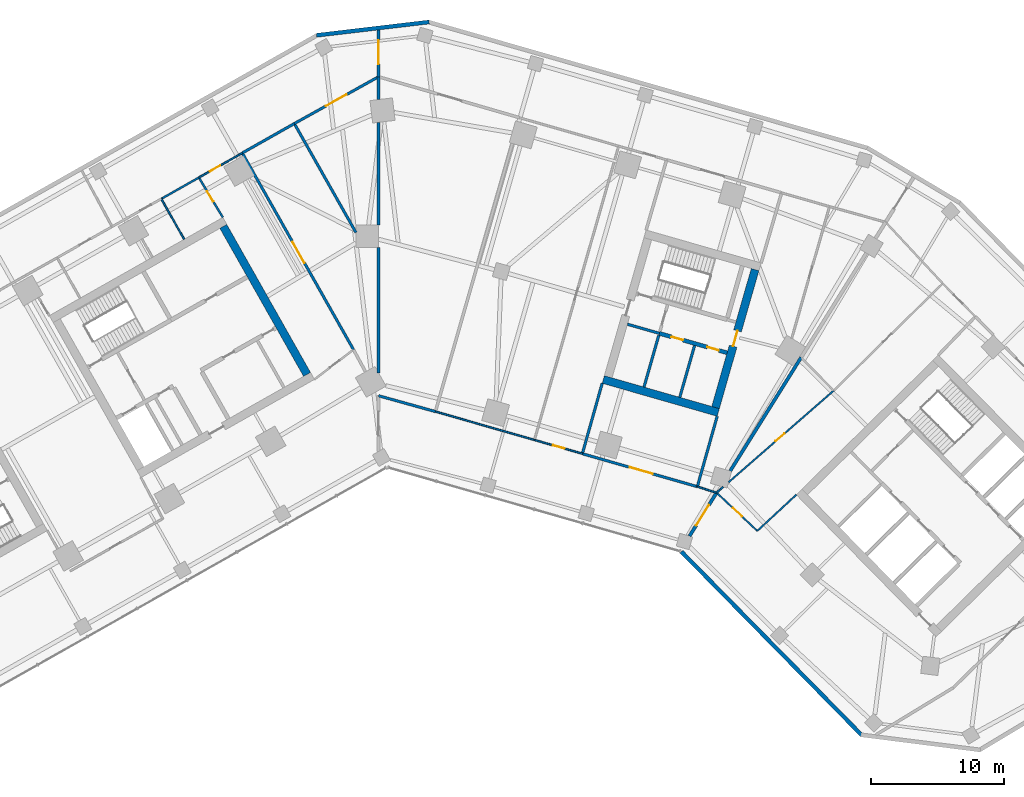
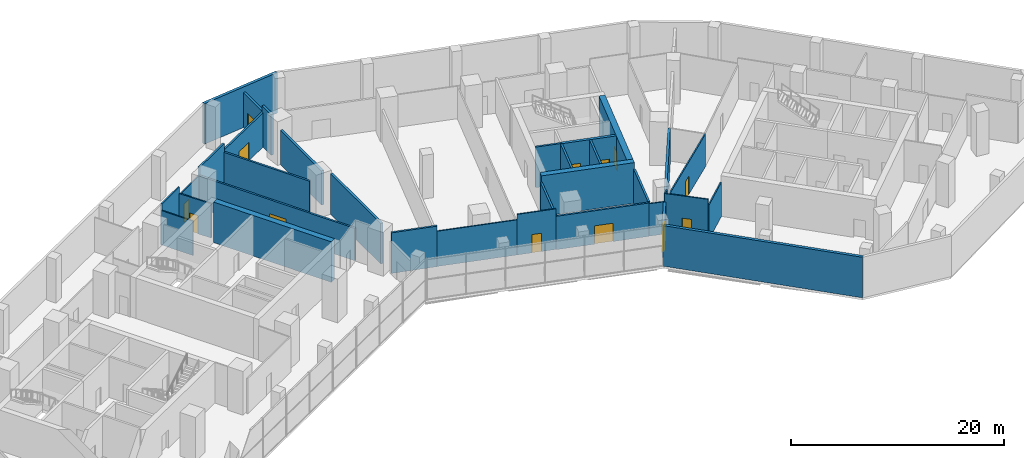
# One storey, part 10 of 15: 34 walls, 13 doors, 13 openings.
"""IFC4 building model written with IfcOpenShell, lengths in metres."""

from ifc_helpers import new_model, si_unit, direction, frame, frame_2d, origin, place, context, subcontext, project, spatial, rectangle, extrude, material, layer, layer_set, type_object, element, fill, save


model = new_model("IFC4")

# Units and contexts
model_context = context("Model", 3, precision=1e-05, world=origin(), true_north=direction((0.0, 1.0)))
body_context = subcontext(model_context, "Body", "Model", "MODEL_VIEW")
ifc_project = project(units=[si_unit("LENGTHUNIT", "METRE"), si_unit("AREAUNIT", "SQUARE_METRE"), si_unit("VOLUMEUNIT", "CUBIC_METRE"), si_unit("PLANEANGLEUNIT", "RADIAN"), si_unit("MASSUNIT", "GRAM", prefix="KILO")], contexts=[model_context])

# Site, building, storey
site_placement = place(None, origin())
site = spatial("IfcSite", under=ifc_project, at=site_placement, CompositionType="ELEMENT")
building_placement = place(site_placement, origin())
building = spatial("IfcBuilding", under=site, at=building_placement, Name="Binnacle Exchange Tower", CompositionType="ELEMENT")
storey_placement = place(building_placement, frame((0.0, 0.0, 16.5)))
storey = spatial("IfcBuildingStorey", under=building, at=storey_placement, Name="L03", CompositionType="ELEMENT", Elevation=16.5)

# Wall
ifc_material_1 = material(Name="Gypsum partition fire rated")
ifc_layer_1 = layer(ifc_material_1, 0.199951171875)
ifc_layer_set_1 = layer_set([ifc_layer_1], Name="Core partition 200")
wall_type_1 = type_object("IfcWallType", Name="Core partition 200", PredefinedType="PARTITIONING", material=ifc_layer_set_1)
wall_1_placement = place(storey_placement, frame((22.664794921875, 47.88330078125, 0.0), z_axis=(0.0, 0.0, 1.0), x_axis=(0.275596769212, 0.961273333033, 0.0)))
element("IfcWall", 1, at=wall_1_placement, inside=storey, type_object=wall_type_1, Name="Core wall CRWD10", PredefinedType="PARTITIONING", context=body_context, shape_type="SweptSolid", body=[
    extrude(rectangle(XDim=4.050048828125, YDim=0.199951171875, at=frame_2d((2.02490234375, 0.0))), origin(), (0.0, 0.0, 1.0), 4.64990234375),
])

# Wall, openings, doors
ifc_material_2 = material(Name="Concrete C70/85", Category="concrete")
ifc_layer_2 = layer(ifc_material_2, 0.300048828125)
ifc_layer_set_2 = layer_set([ifc_layer_2], Name="Core wall - front 300")
wall_type_2 = type_object("IfcWallType", Name="Core wall - front 300", PredefinedType="SOLIDWALL", material=ifc_layer_set_2)
wall_2_placement = place(storey_placement, frame((21.130859375, 52.6923828125, 0.0), z_axis=(0.0, 0.0, 1.0), x_axis=(0.961271492568, -0.275603188616, 0.0)))
wall_2 = element("IfcWall", 2, at=wall_2_placement, inside=storey, type_object=wall_type_2, Name="Core wall CRWD3", PredefinedType="SOLIDWALL", context=body_context, shape_type="SweptSolid", body=[
    extrude(rectangle(XDim=5.300048828125, YDim=0.300048828125, at=frame_2d((2.64990234375, 0.0))), origin(), (0.0, 0.0, 1.0), 4.64990234375),
])
opening_1_placement = place(wall_2_placement, frame((0.949951171875, 0.0, 0.0)))
opening_1 = element("IfcOpeningElement", 3, at=opening_1_placement, cuts=wall_2, Name="Opening DD10", PredefinedType="OPENING", context=body_context, shape_type="SweptSolid", body=[
    extrude(rectangle(XDim=0.89990234375, YDim=2.10009765625, at=frame_2d((0.449951171875, 1.050048828125))), frame((0.0, 0.159912109375, 0.0), z_axis=(0.0, -1.0, 0.0), x_axis=(1.0, 0.0, 0.0)), (0.0, 0.0, 1.0), 0.320068359375),
])
opening_2_placement = place(wall_2_placement, frame((3.75, 0.0, 0.0)))
opening_2 = element("IfcOpeningElement", 4, at=opening_2_placement, cuts=wall_2, Name="Opening DD11", PredefinedType="OPENING", context=body_context, shape_type="SweptSolid", body=[
    extrude(rectangle(XDim=0.89990234375, YDim=2.10009765625, at=frame_2d((0.449951171875, 1.050048828125))), frame((0.0, 0.159912109375, 0.0), z_axis=(0.0, -1.0, 0.0), x_axis=(1.0, 0.0, 0.0)), (0.0, 0.0, 1.0), 0.320068359375),
])
ifc_material_3 = material(Name="Steel door leaf", Category="steel")
door_type_1 = type_object("IfcDoorType", Name="Fire door 900", OperationType="NOTDEFINED", PredefinedType="DOOR", material=ifc_material_3)
door_1_placement = place(opening_1_placement, frame((0.89990234375, 0.0, 0.0), z_axis=(0.0, 0.0, 1.0), x_axis=(-1.0, 0.0, 0.0)))
door_1 = element("IfcDoor", 5, at=door_1_placement, inside=storey, type_object=door_type_1, Name="Core room door IT STORE", OperationType="SINGLE_SWING_RIGHT", OverallHeight=2.10009765625, OverallWidth=0.89990234375, PredefinedType="DOOR", context=body_context, shape_type="SweptSolid", body=[
    extrude(rectangle(XDim=0.89990234375, YDim=2.10009765625, at=frame_2d((0.449951171875, 1.050048828125))), frame((0.0, 0.02490234375, 0.0), z_axis=(0.0, -1.0, 0.0), x_axis=(1.0, 0.0, 0.0)), (0.0, 0.0, 1.0), 0.050048828125),
])
fill(opening_1, door_1)
door_2_placement = place(opening_2_placement, frame((0.89990234375, 0.0, 0.0), z_axis=(0.0, 0.0, 1.0), x_axis=(-1.0, 0.0, 0.0)))
door_2 = element("IfcDoor", 6, at=door_2_placement, inside=storey, type_object=door_type_1, Name="Core room door UPS CUPBOARD", OperationType="SINGLE_SWING_LEFT", OverallHeight=2.10009765625, OverallWidth=0.89990234375, PredefinedType="DOOR", context=body_context, shape_type="SweptSolid", body=[
    extrude(rectangle(XDim=0.89990234375, YDim=2.10009765625, at=frame_2d((0.449951171875, 1.050048828125))), frame((0.0, 0.02490234375, 0.0), z_axis=(0.0, -1.0, 0.0), x_axis=(1.0, 0.0, 0.0)), (0.0, 0.0, 1.0), 0.050048828125),
])
fill(opening_2, door_2)

# Walls
ifc_layer_3 = layer(ifc_material_2, 0.60009765625)
ifc_layer_set_3 = layer_set([ifc_layer_3], Name="Core wall - outer 600")
wall_type_3 = type_object("IfcWallType", Name="Core wall - outer 600", PredefinedType="SOLIDWALL", material=ifc_layer_set_3)
wall_3_placement = place(storey_placement, frame((-11.680908203125, 60.744384765625, 0.0), z_axis=(0.0, 0.0, 1.0), x_axis=(0.492426772896, -0.870353878221, 0.0)))
element("IfcWall", 7, at=wall_3_placement, inside=storey, type_object=wall_type_3, Name="Core wall CRWC24", PredefinedType="SOLIDWALL", context=body_context, shape_type="SweptSolid", body=[
    extrude(rectangle(XDim=12.7998046875, YDim=0.60009765625, at=frame_2d((6.39990234375, 0.0))), origin(), (0.0, 0.0, 1.0), 4.64990234375),
])
wall_4_placement = place(storey_placement, frame((16.91064453125, 49.22119140625, 0.0), z_axis=(0.0, 0.0, 1.0), x_axis=(0.96126248289, -0.275634611374, 0.0)))
element("IfcWall", 8, at=wall_4_placement, inside=storey, type_object=wall_type_3, Name="Core wall CRWD1", PredefinedType="SOLIDWALL", context=body_context, shape_type="SweptSolid", body=[
    extrude(rectangle(XDim=9.0, YDim=0.60009765625, at=frame_2d((4.5, 0.0))), origin(), (0.0, 0.0, 1.0), 4.64990234375),
])

# Wall, opening, door
wall_5_placement = place(storey_placement, frame((25.356201171875, 47.111572265625, 0.0), z_axis=(0.0, 0.0, 1.0), x_axis=(0.275631631629, 0.961263337304, 0.0)))
wall_5 = element("IfcWall", 9, at=wall_5_placement, inside=storey, type_object=wall_type_3, Name="Core wall CRWD12", PredefinedType="SOLIDWALL", context=body_context, shape_type="SweptSolid", body=[
    extrude(rectangle(XDim=10.800048828125, YDim=0.60009765625, at=frame_2d((5.39990234375, 0.0))), origin(), (0.0, 0.0, 1.0), 4.64990234375),
])
opening_3_placement = place(wall_5_placement, frame((4.800048828125, 0.0, 0.0)))
opening_3 = element("IfcOpeningElement", 10, at=opening_3_placement, cuts=wall_5, Name="Opening DD6", PredefinedType="OPENING", context=body_context, shape_type="SweptSolid", body=[
    extrude(rectangle(XDim=1.199951171875, YDim=2.10009765625, at=frame_2d((0.60009765625, 1.050048828125))), frame((0.0, 0.31005859375, 0.0), z_axis=(0.0, -1.0, 0.0), x_axis=(1.0, 0.0, 0.0)), (0.0, 0.0, 1.0), 0.6201171875),
])
door_type_2 = type_object("IfcDoorType", Name="Fire door 1200", OperationType="NOTDEFINED", PredefinedType="DOOR", material=ifc_material_3)
door_3_placement = place(opening_3_placement, frame((1.199951171875, 0.0, 0.0), z_axis=(0.0, 0.0, 1.0), x_axis=(-1.0, 0.0, 0.0)))
door_3 = element("IfcDoor", 11, at=door_3_placement, inside=storey, type_object=door_type_2, Name="Core passage exit door", OperationType="SINGLE_SWING_LEFT", OverallHeight=2.10009765625, OverallWidth=1.199951171875, PredefinedType="DOOR", context=body_context, shape_type="SweptSolid", body=[
    extrude(rectangle(XDim=1.199951171875, YDim=2.10009765625, at=frame_2d((0.60009765625, 1.050048828125))), frame((0.0, 0.02490234375, 0.0), z_axis=(0.0, -1.0, 0.0), x_axis=(1.0, 0.0, 0.0)), (0.0, 0.0, 1.0), 0.050048828125),
])
fill(opening_3, door_3)

# Walls
ifc_material_4 = material(Name="Bronze aluminium louvre", Category="aluminium")
ifc_layer_4 = layer(ifc_material_4, 0.300048828125)
ifc_layer_set_4 = layer_set([ifc_layer_4], Name="External wall - podium louvre 300")
wall_type_4 = type_object("IfcWallType", Name="External wall - podium louvre 300", PredefinedType="STANDARD", material=ifc_layer_set_4)
wall_6_placement = place(storey_placement, frame((-4.662841796875, 75.1201171875, 0.0), z_axis=(0.0, 0.0, 1.0), x_axis=(0.993070050845, 0.117523929966, 0.0)))
element("IfcWall", 12, at=wall_6_placement, inside=storey, type_object=wall_type_4, Name="External wall EW-P01 L03", PredefinedType="STANDARD", context=body_context, shape_type="SweptSolid", body=[
    extrude(rectangle(XDim=8.527587890625, YDim=0.300048828125, at=frame_2d((4.263671875, 0.0))), origin(), (0.0, 0.0, 1.0), 4.64990234375),
])
wall_7_placement = place(storey_placement, frame((36.37646484375, 22.43994140625, 0.0), z_axis=(0.0, 0.0, 1.0), x_axis=(-0.700917061273, 0.713242787006, 0.0)))
element("IfcWall", 13, at=wall_7_placement, inside=storey, type_object=wall_type_4, Name="External wall EW-P08 L03", PredefinedType="STANDARD", context=body_context, shape_type="SweptSolid", body=[
    extrude(rectangle(XDim=19.391357421875, YDim=0.300048828125, at=frame_2d((9.69580078125, 0.0))), origin(), (0.0, 0.0, 1.0), 4.64990234375),
])
ifc_material_5 = material(Name="Masonry block wall", Category="masonry")
ifc_layer_5 = layer(ifc_material_5, 0.199951171875)
ifc_layer_set_5 = layer_set([ifc_layer_5], Name="Fire wall - block 200")
wall_type_5 = type_object("IfcWallType", Name="Fire wall - block 200", PredefinedType="PARTITIONING", material=ifc_layer_set_5)
wall_8_placement = place(storey_placement, frame((-10.25390625, 66.262939453125, 0.0), z_axis=(0.0, 0.0, 1.0), x_axis=(0.870454697906, 0.492248533664, 0.0)))
element("IfcWall", 14, at=wall_8_placement, inside=storey, type_object=wall_type_5, Name="Partition W35", PredefinedType="PARTITIONING", context=body_context, shape_type="SweptSolid", body=[
    extrude(rectangle(XDim=4.5, YDim=0.199951171875, at=frame_2d((2.25, 0.0))), origin(), (0.0, 0.0, 1.0), 4.64990234375),
])

# Wall, opening, door
wall_9_placement = place(storey_placement, frame((-10.25390625, 66.262939453125, 0.0), z_axis=(0.0, 0.0, 1.0), x_axis=(0.492411664329, -0.870362426138, 0.0)))
wall_9 = element("IfcWall", 15, at=wall_9_placement, inside=storey, type_object=wall_type_5, Name="Partition W36", PredefinedType="PARTITIONING", context=body_context, shape_type="SweptSolid", body=[
    extrude(rectangle(XDim=16.999755859375, YDim=0.199951171875, at=frame_2d((8.5, 0.0))), origin(), (0.0, 0.0, 1.0), 3.7119140625),
])
opening_4_placement = place(wall_9_placement, frame((7.699951171875, 0.0, 0.0)))
opening_4 = element("IfcOpeningElement", 16, at=opening_4_placement, cuts=wall_9, Name="Opening DL03-09", PredefinedType="OPENING", context=body_context, shape_type="SweptSolid", body=[
    extrude(rectangle(XDim=1.800048828125, YDim=2.10009765625, at=frame_2d((0.89990234375, 1.050048828125))), frame((0.0, 0.10986328125, 0.0), z_axis=(0.0, -1.0, 0.0), x_axis=(1.0, 0.0, 0.0)), (0.0, 0.0, 1.0), 0.219970703125),
])
door_type_3 = type_object("IfcDoorType", Name="Fire door 1800", OperationType="NOTDEFINED", PredefinedType="DOOR", material=ifc_material_3)
door_4_placement = place(opening_4_placement, origin())
door_4 = element("IfcDoor", 17, at=door_4_placement, inside=storey, type_object=door_type_3, Name="Door DL03-09", OperationType="DOUBLE_DOOR_SINGLE_SWING", OverallHeight=2.10009765625, OverallWidth=1.800048828125, PredefinedType="DOOR", context=body_context, shape_type="SweptSolid", body=[
    extrude(rectangle(XDim=1.800048828125, YDim=2.10009765625, at=frame_2d((0.89990234375, 1.050048828125))), frame((0.0, 0.02490234375, 0.0), z_axis=(0.0, -1.0, 0.0), x_axis=(1.0, 0.0, 0.0)), (0.0, 0.0, 1.0), 0.050048828125),
])
fill(opening_4, door_4)

# Wall
wall_10_placement = place(storey_placement, frame((-6.3369140625, 68.47802734375, 0.0), z_axis=(0.0, 0.0, 1.0), x_axis=(0.492412602502, -0.870361895361, 0.0)))
element("IfcWall", 18, at=wall_10_placement, inside=storey, type_object=wall_type_5, Name="Partition W37", PredefinedType="PARTITIONING", context=body_context, shape_type="SweptSolid", body=[
    extrude(rectangle(XDim=9.416748046875, YDim=0.199951171875, at=frame_2d((4.70849609375, 0.0))), origin(), (0.0, 0.0, 1.0), 3.7119140625),
])

# Wall, opening, door
wall_11_placement = place(storey_placement, frame((-6.3369140625, 68.47802734375, 0.0), z_axis=(0.0, 0.0, 1.0), x_axis=(0.87407148623, 0.485797320864, 0.0)))
wall_11 = element("IfcWall", 19, at=wall_11_placement, inside=storey, type_object=wall_type_5, Name="Partition W38", PredefinedType="PARTITIONING", context=body_context, shape_type="SweptSolid", body=[
    extrude(rectangle(XDim=7.25, YDim=0.199951171875, at=frame_2d((3.625, 0.0))), origin(), (0.0, 0.0, 1.0), 3.929931640625),
])
opening_5_placement = place(wall_11_placement, frame((2.699951171875, 0.0, 0.0)))
opening_5 = element("IfcOpeningElement", 20, at=opening_5_placement, cuts=wall_11, Name="Opening DL03-10", PredefinedType="OPENING", context=body_context, shape_type="SweptSolid", body=[
    extrude(rectangle(XDim=1.800048828125, YDim=2.10009765625, at=frame_2d((0.89990234375, 1.050048828125))), frame((0.0, 0.10986328125, 0.0), z_axis=(0.0, -1.0, 0.0), x_axis=(1.0, 0.0, 0.0)), (0.0, 0.0, 1.0), 0.219970703125),
])
door_5_placement = place(opening_5_placement, frame((1.800048828125, 0.0, 0.0), z_axis=(0.0, 0.0, 1.0), x_axis=(-1.0, 0.0, 0.0)))
door_5 = element("IfcDoor", 21, at=door_5_placement, inside=storey, type_object=door_type_3, Name="Door DL03-10", OperationType="DOUBLE_DOOR_SINGLE_SWING", OverallHeight=2.10009765625, OverallWidth=1.800048828125, PredefinedType="DOOR", context=body_context, shape_type="SweptSolid", body=[
    extrude(rectangle(XDim=1.800048828125, YDim=2.10009765625, at=frame_2d((0.89990234375, 1.050048828125))), frame((0.0, 0.02490234375, 0.0), z_axis=(0.0, -1.0, 0.0), x_axis=(1.0, 0.0, 0.0)), (0.0, 0.0, 1.0), 0.050048828125),
])
fill(opening_5, door_5)

# Walls
wall_12_placement = place(storey_placement, frame((0.0, 48.0, 0.0), z_axis=(0.0, 0.0, 1.0), x_axis=(0.963400508162, -0.268066150181, 0.0)))
element("IfcWall", 22, at=wall_12_placement, inside=storey, type_object=wall_type_5, Name="Partition W42", PredefinedType="PARTITIONING", context=body_context, shape_type="SweptSolid", body=[
    extrude(rectangle(XDim=4.442626953125, YDim=0.199951171875, at=frame_2d((2.22119140625, 0.0))), origin(), (0.0, 0.0, 1.0), 4.64990234375),
])
wall_13_placement = place(storey_placement, frame((15.3349609375, 43.638916015625, 0.0), z_axis=(0.0, 0.0, 1.0), x_axis=(0.271407455373, 0.962464541252, 0.0)))
element("IfcWall", 23, at=wall_13_placement, inside=storey, type_object=wall_type_5, Name="Partition W53", PredefinedType="PARTITIONING", context=body_context, shape_type="SweptSolid", body=[
    extrude(rectangle(XDim=5.500732421875, YDim=0.199951171875, at=frame_2d((2.75048828125, 0.0))), origin(), (0.0, 0.0, 1.0), 3.929931640625),
])

# Wall, opening, door
wall_14_placement = place(storey_placement, frame((15.3349609375, 43.638916015625, 0.0), z_axis=(0.0, 0.0, 1.0), x_axis=(0.961281982754, -0.275566597455, 0.0)))
wall_14 = element("IfcWall", 24, at=wall_14_placement, inside=storey, type_object=wall_type_5, Name="Partition W54", PredefinedType="PARTITIONING", context=body_context, shape_type="SweptSolid", body=[
    extrude(rectangle(XDim=8.99951171875, YDim=0.199951171875, at=frame_2d((4.499755859375, 0.0))), origin(), (0.0, 0.0, 1.0), 3.822021484375),
])
opening_6_placement = place(wall_14_placement, frame((3.699951171875, 0.0, 0.0)))
opening_6 = element("IfcOpeningElement", 25, at=opening_6_placement, cuts=wall_14, Name="Opening DL03-22", PredefinedType="OPENING", context=body_context, shape_type="SweptSolid", body=[
    extrude(rectangle(XDim=1.800048828125, YDim=2.10009765625, at=frame_2d((0.89990234375, 1.050048828125))), frame((0.0, 0.10986328125, 0.0), z_axis=(0.0, -1.0, 0.0), x_axis=(1.0, 0.0, 0.0)), (0.0, 0.0, 1.0), 0.219970703125),
])
door_6_placement = place(opening_6_placement, origin())
door_6 = element("IfcDoor", 26, at=door_6_placement, inside=storey, type_object=door_type_3, Name="Door DL03-22", OperationType="DOUBLE_DOOR_SINGLE_SWING", OverallHeight=2.10009765625, OverallWidth=1.800048828125, PredefinedType="DOOR", context=body_context, shape_type="SweptSolid", body=[
    extrude(rectangle(XDim=1.800048828125, YDim=2.10009765625, at=frame_2d((0.89990234375, 1.050048828125))), frame((0.0, 0.02490234375, 0.0), z_axis=(0.0, -1.0, 0.0), x_axis=(1.0, 0.0, 0.0)), (0.0, 0.0, 1.0), 0.050048828125),
])
fill(opening_6, door_6)

# Walls
wall_15_placement = place(storey_placement, frame((23.986083984375, 41.158935546875, 0.0), z_axis=(0.0, 0.0, 1.0), x_axis=(0.271465437068, 0.962448188983, 0.0)))
element("IfcWall", 27, at=wall_15_placement, inside=storey, type_object=wall_type_5, Name="Partition W60", PredefinedType="PARTITIONING", context=body_context, shape_type="SweptSolid", body=[
    extrude(rectangle(XDim=5.49951171875, YDim=0.199951171875, at=frame_2d((2.749755859375, 0.0))), origin(), (0.0, 0.0, 1.0), 3.929931640625),
])
ifc_material_6 = material(Name="Concrete fire wall C30/37", Category="concrete")
ifc_layer_6 = layer(ifc_material_6, 0.25)
ifc_layer_set_6 = layer_set([ifc_layer_6], Name="Fire wall - compartment 250")
wall_type_6 = type_object("IfcWallType", Name="Fire wall - compartment 250", PredefinedType="PARTITIONING", material=ifc_layer_set_6)
wall_16_placement = place(storey_placement, frame((0.0, 49.72607421875, 0.0), z_axis=(0.0, 0.0, 1.0), x_axis=(0.0, 1.0, 0.0)))
element("IfcWall", 28, at=wall_16_placement, inside=storey, type_object=wall_type_6, Name="Fire Wall W43", PredefinedType="PARTITIONING", context=body_context, shape_type="SweptSolid", body=[
    extrude(rectangle(XDim=9.423828125, YDim=0.25, at=frame_2d((4.7119140625, 0.0))), origin(), (0.0, 0.0, 1.0), 4.64990234375),
])
wall_17_placement = place(storey_placement, frame((0.0, 60.85009765625, 0.0), z_axis=(0.0, 0.0, 1.0), x_axis=(0.0, 1.0, 0.0)))
element("IfcWall", 29, at=wall_17_placement, inside=storey, type_object=wall_type_6, Name="Fire Wall W44", PredefinedType="PARTITIONING", context=body_context, shape_type="SweptSolid", body=[
    extrude(rectangle(XDim=7.722900390625, YDim=0.25, at=frame_2d((3.861328125, 0.0))), origin(), (0.0, 0.0, 1.0), 3.929931640625),
])
wall_18_placement = place(storey_placement, frame((0.0, 70.284912109375, 0.0), z_axis=(0.0, 0.0, 1.0), x_axis=(0.0, 1.0, 0.0)))
element("IfcWall", 30, at=wall_18_placement, inside=storey, type_object=wall_type_6, Name="Fire Wall W45", PredefinedType="PARTITIONING", context=body_context, shape_type="SweptSolid", body=[
    extrude(rectangle(XDim=1.715087890625, YDim=0.25, at=frame_2d((0.857421875, 0.0))), origin(), (0.0, 0.0, 1.0), 4.64990234375),
])

# Wall, opening, door
wall_19_placement = place(storey_placement, frame((0.0, 72.0, 0.0), z_axis=(0.0, 0.0, 1.0), x_axis=(0.0, 1.0, 0.0)))
wall_19 = element("IfcWall", 31, at=wall_19_placement, inside=storey, type_object=wall_type_6, Name="Fire Wall W46", PredefinedType="PARTITIONING", context=body_context, shape_type="SweptSolid", body=[
    extrude(rectangle(XDim=3.52099609375, YDim=0.25, at=frame_2d((1.760498046875, 0.0))), origin(), (0.0, 0.0, 1.0), 4.02392578125),
])
opening_7_placement = place(wall_19_placement, frame((0.949951171875, 0.0, 0.0)))
opening_7 = element("IfcOpeningElement", 32, at=opening_7_placement, cuts=wall_19, Name="Opening DL03-32", PredefinedType="OPENING", context=body_context, shape_type="SweptSolid", body=[
    extrude(rectangle(XDim=1.800048828125, YDim=2.10009765625, at=frame_2d((0.89990234375, 1.050048828125))), frame((0.0, 0.135009765625, 0.0), z_axis=(0.0, -1.0, 0.0), x_axis=(1.0, 0.0, 0.0)), (0.0, 0.0, 1.0), 0.27001953125),
])
door_7_placement = place(opening_7_placement, origin())
door_7 = element("IfcDoor", 33, at=door_7_placement, inside=storey, type_object=door_type_3, Name="Door DL03-32", OperationType="DOUBLE_DOOR_SINGLE_SWING", OverallHeight=2.10009765625, OverallWidth=1.800048828125, PredefinedType="DOOR", context=body_context, shape_type="SweptSolid", body=[
    extrude(rectangle(XDim=1.800048828125, YDim=2.10009765625, at=frame_2d((0.89990234375, 1.050048828125))), frame((0.0, 0.02490234375, 0.0), z_axis=(0.0, -1.0, 0.0), x_axis=(1.0, 0.0, 0.0)), (0.0, 0.0, 1.0), 0.050048828125),
])
fill(opening_7, door_7)

wall_20_placement = place(storey_placement, frame((23.39697265625, 37.44189453125, 0.0), z_axis=(0.0, 0.0, 1.0), x_axis=(0.529805058875, 0.848119448893, 0.0)))
wall_20 = element("IfcWall", 34, at=wall_20_placement, inside=storey, type_object=wall_type_6, Name="Fire Wall W58", PredefinedType="PARTITIONING", context=body_context, shape_type="SweptSolid", body=[
    extrude(rectangle(XDim=3.8486328125, YDim=0.25, at=frame_2d((1.92431640625, 0.0))), origin(), (0.0, 0.0, 1.0), 3.7119140625),
])
opening_8_placement = place(wall_20_placement, frame((0.949951171875, 0.0, 0.0)))
opening_8 = element("IfcOpeningElement", 35, at=opening_8_placement, cuts=wall_20, Name="Opening DL03-33", PredefinedType="OPENING", context=body_context, shape_type="SweptSolid", body=[
    extrude(rectangle(XDim=1.800048828125, YDim=2.10009765625, at=frame_2d((0.89990234375, 1.050048828125))), frame((0.0, 0.135009765625, 0.0), z_axis=(0.0, -1.0, 0.0), x_axis=(1.0, 0.0, 0.0)), (0.0, 0.0, 1.0), 0.27001953125),
])
door_8_placement = place(opening_8_placement, origin())
door_8 = element("IfcDoor", 36, at=door_8_placement, inside=storey, type_object=door_type_3, Name="Door DL03-33", OperationType="DOUBLE_DOOR_SINGLE_SWING", OverallHeight=2.10009765625, OverallWidth=1.800048828125, PredefinedType="DOOR", context=body_context, shape_type="SweptSolid", body=[
    extrude(rectangle(XDim=1.800048828125, YDim=2.10009765625, at=frame_2d((0.89990234375, 1.050048828125))), frame((0.0, 0.02490234375, 0.0), z_axis=(0.0, -1.0, 0.0), x_axis=(1.0, 0.0, 0.0)), (0.0, 0.0, 1.0), 0.050048828125),
])
fill(opening_8, door_8)

# Walls
wall_21_placement = place(storey_placement, frame((26.4560546875, 42.337890625, 0.0), z_axis=(0.0, 0.0, 1.0), x_axis=(0.529866075757, 0.848081329686, 0.0)))
element("IfcWall", 37, at=wall_21_placement, inside=storey, type_object=wall_type_6, Name="Fire Wall W64", PredefinedType="PARTITIONING", context=body_context, shape_type="SweptSolid", body=[
    extrude(rectangle(XDim=10.075927734375, YDim=0.25, at=frame_2d((5.0380859375, 0.0))), origin(), (0.0, 0.0, 1.0), 3.7119140625),
])
ifc_layer_7 = layer(ifc_material_1, 0.14990234375)
ifc_layer_set_7 = layer_set([ifc_layer_7], Name="Fire-rated partition 150")
wall_type_7 = type_object("IfcWallType", Name="Fire-rated partition 150", PredefinedType="PARTITIONING", material=ifc_layer_set_7)
wall_22_placement = place(storey_placement, frame((-16.345947265625, 62.81591796875, 0.0), z_axis=(0.0, 0.0, 1.0), x_axis=(0.870334637055, 0.492460779699, 0.0)))
element("IfcWall", 38, at=wall_22_placement, inside=storey, type_object=wall_type_7, Name="Partition W32", PredefinedType="PARTITIONING", context=body_context, shape_type="SweptSolid", body=[
    extrude(rectangle(XDim=3.249267578125, YDim=0.14990234375, at=frame_2d((1.62451171875, 0.0))), origin(), (0.0, 0.0, 1.0), 4.64990234375),
])

# Wall, opening, door
wall_23_placement = place(storey_placement, frame((-13.51806640625, 64.416015625, 0.0), z_axis=(0.0, 0.0, 1.0), x_axis=(0.514875058642, -0.857265229663, 0.0)))
wall_23 = element("IfcWall", 39, at=wall_23_placement, inside=storey, type_object=wall_type_7, Name="Partition W33", PredefinedType="PARTITIONING", context=body_context, shape_type="SweptSolid", body=[
    extrude(rectangle(XDim=3.501708984375, YDim=0.14990234375, at=frame_2d((1.7509765625, 0.0))), origin(), (0.0, 0.0, 1.0), 3.929931640625),
])
opening_9_placement = place(wall_23_placement, frame((1.199951171875, 0.0, 0.0)))
opening_9 = element("IfcOpeningElement", 40, at=opening_9_placement, cuts=wall_23, Name="Opening DL03-15", PredefinedType="OPENING", context=body_context, shape_type="SweptSolid", body=[
    extrude(rectangle(XDim=0.89990234375, YDim=2.10009765625, at=frame_2d((0.449951171875, 1.050048828125))), frame((0.0, 0.0849609375, 0.0), z_axis=(0.0, -1.0, 0.0), x_axis=(1.0, 0.0, 0.0)), (0.0, 0.0, 1.0), 0.169921875),
])
door_9_placement = place(opening_9_placement, frame((0.89990234375, 0.0, 0.0), z_axis=(0.0, 0.0, 1.0), x_axis=(-1.0, 0.0, 0.0)))
door_9 = element("IfcDoor", 41, at=door_9_placement, inside=storey, type_object=door_type_1, Name="Door DL03-15", OperationType="SINGLE_SWING_RIGHT", OverallHeight=2.10009765625, OverallWidth=0.89990234375, PredefinedType="DOOR", context=body_context, shape_type="SweptSolid", body=[
    extrude(rectangle(XDim=0.89990234375, YDim=2.10009765625, at=frame_2d((0.449951171875, 1.050048828125))), frame((0.0, 0.02490234375, 0.0), z_axis=(0.0, -1.0, 0.0), x_axis=(1.0, 0.0, 0.0)), (0.0, 0.0, 1.0), 0.050048828125),
])
fill(opening_9, door_9)

# Wall
ifc_material_7 = material(Name="Gypsum partition")
ifc_layer_8 = layer(ifc_material_7, 0.125)
ifc_layer_set_8 = layer_set([ifc_layer_8], Name="Partition 125")
wall_type_8 = type_object("IfcWallType", Name="Partition 125", PredefinedType="PARTITIONING", material=ifc_layer_set_8)
wall_24_placement = place(storey_placement, frame((-16.345947265625, 62.81591796875, 0.0), z_axis=(0.0, 0.0, 1.0), x_axis=(0.492220429283, -0.870470590541, 0.0)))
element("IfcWall", 42, at=wall_24_placement, inside=storey, type_object=wall_type_8, Name="Partition W31", PredefinedType="PARTITIONING", context=body_context, shape_type="SweptSolid", body=[
    extrude(rectangle(XDim=3.500244140625, YDim=0.125, at=frame_2d((1.75, 0.0))), origin(), (0.0, 0.0, 1.0), 3.929931640625),
])

# Wall, opening, door
wall_25_placement = place(storey_placement, frame((-13.51806640625, 64.416015625, 0.0), z_axis=(0.0, 0.0, 1.0), x_axis=(0.870338454914, 0.492454032268, 0.0)))
wall_25 = element("IfcWall", 43, at=wall_25_placement, inside=storey, type_object=wall_type_8, Name="Partition W34", PredefinedType="PARTITIONING", context=body_context, shape_type="SweptSolid", body=[
    extrude(rectangle(XDim=3.75048828125, YDim=0.125, at=frame_2d((1.875244140625, 0.0))), origin(), (0.0, 0.0, 1.0), 3.7119140625),
])
opening_10_placement = place(wall_25_placement, frame((0.949951171875, 0.0, 0.0)))
opening_10 = element("IfcOpeningElement", 44, at=opening_10_placement, cuts=wall_25, Name="Opening DL03-06", PredefinedType="OPENING", context=body_context, shape_type="SweptSolid", body=[
    extrude(rectangle(XDim=0.89990234375, YDim=2.10009765625, at=frame_2d((0.449951171875, 1.050048828125))), frame((0.0, 0.072509765625, 0.0), z_axis=(0.0, -1.0, 0.0), x_axis=(1.0, 0.0, 0.0)), (0.0, 0.0, 1.0), 0.14501953125),
])
ifc_material_8 = material(Name="Timber door leaf", Category="wood")
door_type_4 = type_object("IfcDoorType", Name="Door 900", OperationType="NOTDEFINED", PredefinedType="DOOR", material=ifc_material_8)
door_10_placement = place(opening_10_placement, origin())
door_10 = element("IfcDoor", 45, at=door_10_placement, inside=storey, type_object=door_type_4, Name="Door DL03-06", OperationType="SINGLE_SWING_LEFT", OverallHeight=2.10009765625, OverallWidth=0.89990234375, PredefinedType="DOOR", context=body_context, shape_type="SweptSolid", body=[
    extrude(rectangle(XDim=0.89990234375, YDim=2.10009765625, at=frame_2d((0.449951171875, 1.050048828125))), frame((0.0, 0.02490234375, 0.0), z_axis=(0.0, -1.0, 0.0), x_axis=(1.0, 0.0, 0.0)), (0.0, 0.0, 1.0), 0.050048828125),
])
fill(opening_10, door_10)

# Wall
wall_26_placement = place(storey_placement, frame((4.280029296875, 46.80908203125, 0.0), z_axis=(0.0, 0.0, 1.0), x_axis=(0.961270337968, -0.275607215693, 0.0)))
element("IfcWall", 46, at=wall_26_placement, inside=storey, type_object=wall_type_8, Name="Partition W49", PredefinedType="PARTITIONING", context=body_context, shape_type="SweptSolid", body=[
    extrude(rectangle(XDim=7.75, YDim=0.125, at=frame_2d((3.875, 0.0))), origin(), (0.0, 0.0, 1.0), 4.030029296875),
])

# Wall, opening, door
wall_27_placement = place(storey_placement, frame((11.72998046875, 44.673095703125, 0.0), z_axis=(0.0, 0.0, 1.0), x_axis=(0.961228613303, -0.275752702557, 0.0)))
wall_27 = element("IfcWall", 47, at=wall_27_placement, inside=storey, type_object=wall_type_8, Name="Partition W51", PredefinedType="PARTITIONING", context=body_context, shape_type="SweptSolid", body=[
    extrude(rectangle(XDim=3.75048828125, YDim=0.125, at=frame_2d((1.875244140625, 0.0))), origin(), (0.0, 0.0, 1.0), 4.64990234375),
])
opening_11_placement = place(wall_27_placement, frame((1.449951171875, 0.0, 0.0)))
opening_11 = element("IfcOpeningElement", 48, at=opening_11_placement, cuts=wall_27, Name="Opening DL03-16", PredefinedType="OPENING", context=body_context, shape_type="SweptSolid", body=[
    extrude(rectangle(XDim=0.89990234375, YDim=2.10009765625, at=frame_2d((0.449951171875, 1.050048828125))), frame((0.0, 0.072509765625, 0.0), z_axis=(0.0, -1.0, 0.0), x_axis=(1.0, 0.0, 0.0)), (0.0, 0.0, 1.0), 0.14501953125),
])
door_11_placement = place(opening_11_placement, frame((0.89990234375, 0.0, 0.0), z_axis=(0.0, 0.0, 1.0), x_axis=(-1.0, 0.0, 0.0)))
door_11 = element("IfcDoor", 49, at=door_11_placement, inside=storey, type_object=door_type_4, Name="Door DL03-16", OperationType="SINGLE_SWING_LEFT", OverallHeight=2.10009765625, OverallWidth=0.89990234375, PredefinedType="DOOR", context=body_context, shape_type="SweptSolid", body=[
    extrude(rectangle(XDim=0.89990234375, YDim=2.10009765625, at=frame_2d((0.449951171875, 1.050048828125))), frame((0.0, 0.02490234375, 0.0), z_axis=(0.0, -1.0, 0.0), x_axis=(1.0, 0.0, 0.0)), (0.0, 0.0, 1.0), 0.050048828125),
])
fill(opening_11, door_11)

# Walls
wall_28_placement = place(storey_placement, frame((23.986083984375, 41.158935546875, 0.0), z_axis=(0.0, 0.0, 1.0), x_axis=(0.954522865266, -0.298137719325, 0.0)))
element("IfcWall", 50, at=wall_28_placement, inside=storey, type_object=wall_type_8, Name="Partition W59", PredefinedType="PARTITIONING", context=body_context, shape_type="SweptSolid", body=[
    extrude(rectangle(XDim=1.51904296875, YDim=0.125, at=frame_2d((0.759521484375, 0.0))), origin(), (0.0, 0.0, 1.0), 3.7119140625),
])
wall_29_placement = place(storey_placement, frame((25.43603515625, 40.7060546875, 0.0), z_axis=(0.0, 0.0, 1.0), x_axis=(0.753521944961, 0.657422754749, 0.0)))
element("IfcWall", 51, at=wall_29_placement, inside=storey, type_object=wall_type_8, Name="Partition W61", PredefinedType="PARTITIONING", context=body_context, shape_type="SweptSolid", body=[
    extrude(rectangle(XDim=0.655517578125, YDim=0.125, at=frame_2d((0.32763671875, 0.0))), origin(), (0.0, 0.0, 1.0), 4.64990234375),
])

# Wall, opening, door
wall_30_placement = place(storey_placement, frame((25.43603515625, 40.7060546875, 0.0), z_axis=(0.0, 0.0, 1.0), x_axis=(0.729011488135, -0.684501461041, 0.0)))
wall_30 = element("IfcWall", 52, at=wall_30_placement, inside=storey, type_object=wall_type_8, Name="Partition W62", PredefinedType="PARTITIONING", context=body_context, shape_type="SweptSolid", body=[
    extrude(rectangle(XDim=4.20166015625, YDim=0.125, at=frame_2d((2.100830078125, 0.0))), origin(), (0.0, 0.0, 1.0), 4.64990234375),
])
opening_12_placement = place(wall_30_placement, frame((1.699951171875, 0.0, 0.0)))
opening_12 = element("IfcOpeningElement", 53, at=opening_12_placement, cuts=wall_30, Name="Opening DL03-23", PredefinedType="OPENING", context=body_context, shape_type="SweptSolid", body=[
    extrude(rectangle(XDim=0.89990234375, YDim=2.10009765625, at=frame_2d((0.449951171875, 1.050048828125))), frame((0.0, 0.072509765625, 0.0), z_axis=(0.0, -1.0, 0.0), x_axis=(1.0, 0.0, 0.0)), (0.0, 0.0, 1.0), 0.14501953125),
])
door_12_placement = place(opening_12_placement, origin())
door_12 = element("IfcDoor", 54, at=door_12_placement, inside=storey, type_object=door_type_4, Name="Door DL03-23", OperationType="SINGLE_SWING_RIGHT", OverallHeight=2.10009765625, OverallWidth=0.89990234375, PredefinedType="DOOR", context=body_context, shape_type="SweptSolid", body=[
    extrude(rectangle(XDim=0.89990234375, YDim=2.10009765625, at=frame_2d((0.449951171875, 1.050048828125))), frame((0.0, 0.02490234375, 0.0), z_axis=(0.0, -1.0, 0.0), x_axis=(1.0, 0.0, 0.0)), (0.0, 0.0, 1.0), 0.050048828125),
])
fill(opening_12, door_12)

wall_31_placement = place(storey_placement, frame((26.337890625, 41.491943359375, 0.0), z_axis=(0.0, 0.0, 1.0), x_axis=(0.753866696092, 0.657027400131, 0.0)))
wall_31 = element("IfcWall", 55, at=wall_31_placement, inside=storey, type_object=wall_type_8, Name="Partition W63", PredefinedType="PARTITIONING", context=body_context, shape_type="SweptSolid", body=[
    extrude(rectangle(XDim=10.49267578125, YDim=0.125, at=frame_2d((5.246337890625, 0.0))), origin(), (0.0, 0.0, 1.0), 3.72998046875),
])
opening_13_placement = place(wall_31_placement, frame((4.699951171875, 0.0, 0.0)))
opening_13 = element("IfcOpeningElement", 56, at=opening_13_placement, cuts=wall_31, Name="Opening DL03-28", PredefinedType="OPENING", context=body_context, shape_type="SweptSolid", body=[
    extrude(rectangle(XDim=0.89990234375, YDim=2.10009765625, at=frame_2d((0.449951171875, 1.050048828125))), frame((0.0, 0.072509765625, 0.0), z_axis=(0.0, -1.0, 0.0), x_axis=(1.0, 0.0, 0.0)), (0.0, 0.0, 1.0), 0.14501953125),
])
door_13_placement = place(opening_13_placement, origin())
door_13 = element("IfcDoor", 57, at=door_13_placement, inside=storey, type_object=door_type_4, Name="Door DL03-28", OperationType="SINGLE_SWING_LEFT", OverallHeight=2.10009765625, OverallWidth=0.89990234375, PredefinedType="DOOR", context=body_context, shape_type="SweptSolid", body=[
    extrude(rectangle(XDim=0.89990234375, YDim=2.10009765625, at=frame_2d((0.449951171875, 1.050048828125))), frame((0.0, 0.02490234375, 0.0), z_axis=(0.0, -1.0, 0.0), x_axis=(1.0, 0.0, 0.0)), (0.0, 0.0, 1.0), 0.050048828125),
])
fill(opening_13, door_13)

# Walls
wall_32_placement = place(storey_placement, frame((28.4990234375, 37.830078125, 0.0), z_axis=(0.0, 0.0, 1.0), x_axis=(0.732973836409, 0.680256830278, 0.0)))
element("IfcWall", 58, at=wall_32_placement, inside=storey, type_object=wall_type_8, Name="Partition W65", PredefinedType="PARTITIONING", context=body_context, shape_type="SweptSolid", body=[
    extrude(rectangle(XDim=4.001220703125, YDim=0.125, at=frame_2d((2.00048828125, 0.0))), origin(), (0.0, 0.0, 1.0), 3.929931640625),
])
ifc_layer_9 = layer(ifc_material_5, 0.199951171875)
ifc_layer_set_9 = layer_set([ifc_layer_9], Name="Riser wall 200")
wall_type_9 = type_object("IfcWallType", Name="Riser wall 200", PredefinedType="SOLIDWALL", material=ifc_layer_set_9)
wall_33_placement = place(storey_placement, frame((18.727783203125, 53.381591796875, 0.0), z_axis=(0.0, 0.0, 1.0), x_axis=(0.961247070632, -0.275688355216, 0.0)))
element("IfcWall", 59, at=wall_33_placement, inside=storey, type_object=wall_type_9, Name="Core wall CRWD2", PredefinedType="SOLIDWALL", context=body_context, shape_type="SweptSolid", body=[
    extrude(rectangle(XDim=2.5, YDim=0.199951171875, at=frame_2d((1.25, 0.0))), origin(), (0.0, 0.0, 1.0), 4.64990234375),
])
wall_34_placement = place(storey_placement, frame((19.97314453125, 48.6552734375, 0.0), z_axis=(0.0, 0.0, 1.0), x_axis=(0.275668441653, 0.961252781674, 0.0)))
element("IfcWall", 60, at=wall_34_placement, inside=storey, type_object=wall_type_9, Name="Core wall CRWD8", PredefinedType="SOLIDWALL", context=body_context, shape_type="SweptSolid", body=[
    extrude(rectangle(XDim=4.050048828125, YDim=0.199951171875, at=frame_2d((2.02490234375, 0.0))), origin(), (0.0, 0.0, 1.0), 4.64990234375),
])

save(model, "model.ifc")
